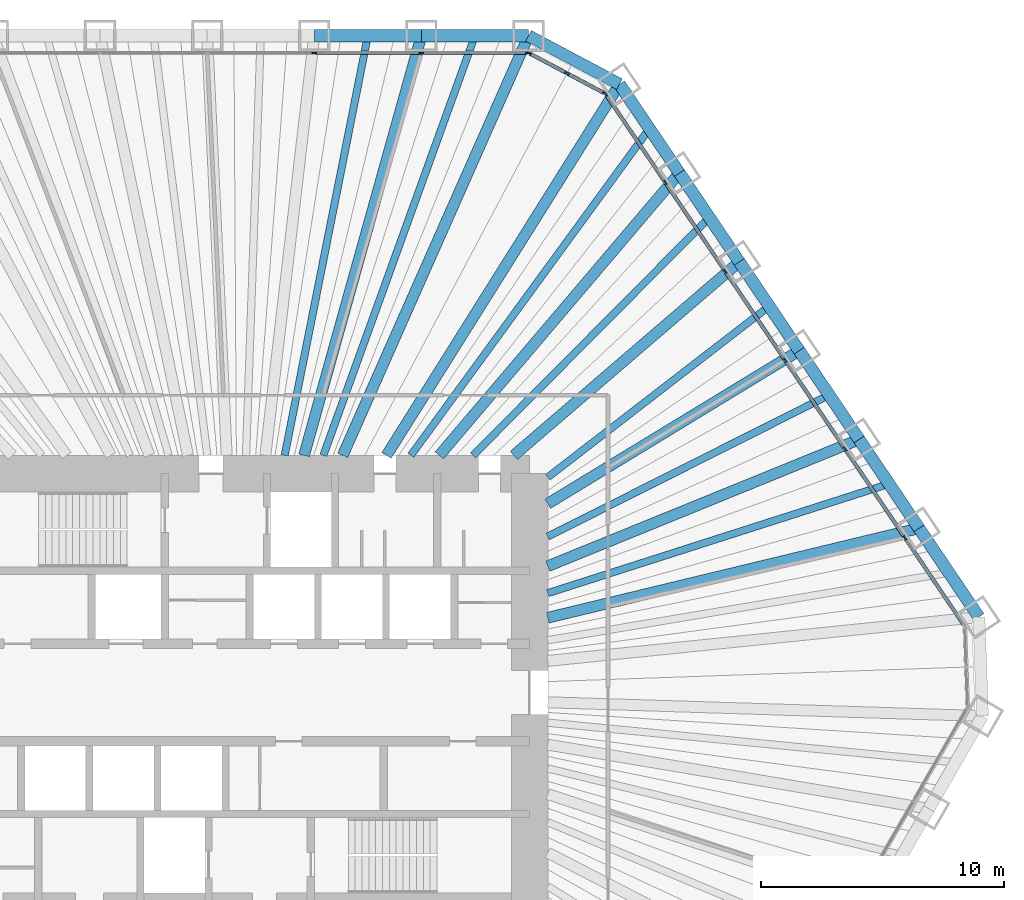
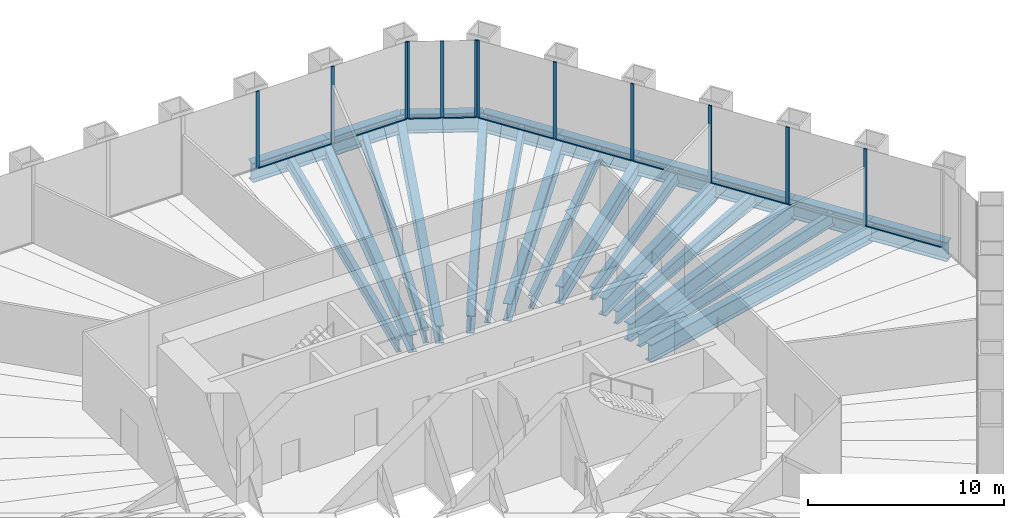
# One storey, part 7 of 13: 24 beams, 22 members, 3 elements without a shape of their own.
"""IFC4 building model written with IfcOpenShell, lengths in metres."""

from ifc_helpers import new_model, si_unit, direction, frame, origin, origin_2d, place, context, subcontext, project, spatial, rectangle, i_section, extrude, material, material_profile, profile_set, type_object, element, aggregate, save


model = new_model("IFC4")

# Units and contexts
model_context = context("Model", 3, precision=1e-05, world=origin(), true_north=direction((0.0, 1.0)))
body_context = subcontext(model_context, "Body", "Model", "MODEL_VIEW")
ifc_project = project(units=[si_unit("LENGTHUNIT", "METRE"), si_unit("AREAUNIT", "SQUARE_METRE"), si_unit("VOLUMEUNIT", "CUBIC_METRE"), si_unit("PLANEANGLEUNIT", "RADIAN"), si_unit("MASSUNIT", "GRAM", prefix="KILO")], contexts=[model_context])

# Site, building, storey
site_placement = place(None, origin())
site = spatial("IfcSite", under=ifc_project, at=site_placement, CompositionType="ELEMENT")
building_placement = place(site_placement, origin())
building = spatial("IfcBuilding", under=site, at=building_placement, Name="Qingtian Harvest Tower", CompositionType="ELEMENT")
storey_placement = place(building_placement, frame((0.0, 0.0, 27.0)))
storey = spatial("IfcBuildingStorey", under=building, at=storey_placement, Name="L05", CompositionType="ELEMENT", Elevation=27.0)

# Beams
ifc_material_1 = material(Name="Steel SM570MC", Category="steel")
ifc_material_profile_1 = material_profile(ifc_material_1, i_section(OverallWidth=0.449951171875, OverallDepth=1.10009765625, WebThickness=0.02197265625, FlangeThickness=0.044921875, at=origin_2d()), Name="H1100x450x22x45")
ifc_profile_set_1 = profile_set([ifc_material_profile_1], Name="Steel SM570MC")
beam_type_1 = type_object("IfcBeamType", Name="Corner floor beam FB8 H1100x450x22x45", PredefinedType="BEAM", material=ifc_profile_set_1)
beam_1_placement = place(storey_placement, frame((11.9560546875, 27.0, -0.75), z_axis=(-0.404898955654, -0.914361436036, 0.0), x_axis=(0.914361436036, -0.404898955654, 0.0)))
element("IfcBeam", 1, at=beam_1_placement, inside=storey, type_object=beam_type_1, Name="Floor beam FB8 N6", PredefinedType="BEAM", context=body_context, shape_type="SweptSolid", body=[
    extrude(i_section(OverallWidth=0.449951171875, OverallDepth=1.10009765625, WebThickness=0.02197265625, FlangeThickness=0.044921875, at=origin_2d()), origin(), (0.0, 0.0, 1.0), 18.86572265625),
])
beam_2_placement = place(storey_placement, frame((15.6982421875, 25.01025390625, -0.75), z_axis=(-0.531622796942, -0.846981228701, 0.0), x_axis=(0.846981228701, -0.531622796942, 0.0)))
element("IfcBeam", 2, at=beam_2_placement, inside=storey, type_object=beam_type_1, Name="Floor beam FB8 NE0", PredefinedType="BEAM", context=body_context, shape_type="SweptSolid", body=[
    extrude(i_section(OverallWidth=0.449951171875, OverallDepth=1.10009765625, WebThickness=0.02197265625, FlangeThickness=0.044921875, at=origin_2d()), origin(), (0.0, 0.0, 1.0), 18.017333984375),
])
ifc_material_2 = material(Name="Steel SM570MC", Category="steel")
ifc_material_profile_2 = material_profile(ifc_material_2, i_section(OverallWidth=0.449951171875, OverallDepth=1.10009765625, WebThickness=0.02197265625, FlangeThickness=0.044921875, at=origin_2d()), Name="H1100x450x22x45")
ifc_profile_set_2 = profile_set([ifc_material_profile_2], Name="Steel SM570MC")
beam_type_2 = type_object("IfcBeamType", Name="Floor beam FB1 H1100x450x22x45", PredefinedType="BEAM", material=ifc_profile_set_2)
beam_3_placement = place(storey_placement, frame((7.551513671875, 27.0, -0.75), z_axis=(-0.269343258019, -0.963044240604, 0.0), x_axis=(0.963044240604, -0.269343258019, 0.0)))
element("IfcBeam", 3, at=beam_3_placement, inside=storey, type_object=beam_type_2, Name="Floor beam FB1 N5", PredefinedType="BEAM", context=body_context, shape_type="SweptSolid", body=[
    extrude(i_section(OverallWidth=0.449951171875, OverallDepth=1.10009765625, WebThickness=0.02197265625, FlangeThickness=0.044921875, at=origin_2d()), origin(), (0.0, 0.0, 1.0), 17.911865234375),
])
beam_4_placement = place(storey_placement, frame((18.1611328125, 21.358642578125, -0.75), z_axis=(-0.647781887327, -0.761825850474, 0.0), x_axis=(0.761825850474, -0.647781887327, 0.0)))
element("IfcBeam", 4, at=beam_4_placement, inside=storey, type_object=beam_type_2, Name="Floor beam FB1 NE1", PredefinedType="BEAM", context=body_context, shape_type="SweptSolid", body=[
    extrude(i_section(OverallWidth=0.449951171875, OverallDepth=1.10009765625, WebThickness=0.02197265625, FlangeThickness=0.044921875, at=origin_2d()), origin(), (0.0, 0.0, 1.0), 15.238037109375),
])
beam_5_placement = place(storey_placement, frame((20.624267578125, 17.70703125, -0.75), z_axis=(-0.75873153072, -0.651403457384, 0.0), x_axis=(0.651403457384, -0.75873153072, 0.0)))
element("IfcBeam", 5, at=beam_5_placement, inside=storey, type_object=beam_type_2, Name="Floor beam FB1 NE2", PredefinedType="BEAM", context=body_context, shape_type="SweptSolid", body=[
    extrude(i_section(OverallWidth=0.449951171875, OverallDepth=1.10009765625, WebThickness=0.02197265625, FlangeThickness=0.044921875, at=origin_2d()), origin(), (0.0, 0.0, 1.0), 12.21533203125),
])
beam_6_placement = place(storey_placement, frame((23.08740234375, 14.0556640625, -0.75), z_axis=(-0.854157261259, -0.520014781558, 0.0), x_axis=(0.520014781558, -0.854157261259, 0.0)))
element("IfcBeam", 6, at=beam_6_placement, inside=storey, type_object=beam_type_2, Name="Floor beam FB1 NE3", PredefinedType="BEAM", context=body_context, shape_type="SweptSolid", body=[
    extrude(i_section(OverallWidth=0.449951171875, OverallDepth=1.10009765625, WebThickness=0.02197265625, FlangeThickness=0.044921875, at=origin_2d()), origin(), (0.0, 0.0, 1.0), 12.1025390625),
])
beam_7_placement = place(storey_placement, frame((25.55029296875, 10.404052734375, -0.75), z_axis=(-0.926156354735, -0.37713977062, 0.0), x_axis=(0.37713977062, -0.926156354735, 0.0)))
element("IfcBeam", 7, at=beam_7_placement, inside=storey, type_object=beam_type_2, Name="Floor beam FB1 NE4", PredefinedType="BEAM", context=body_context, shape_type="SweptSolid", body=[
    extrude(i_section(OverallWidth=0.449951171875, OverallDepth=1.10009765625, WebThickness=0.02197265625, FlangeThickness=0.044921875, at=origin_2d()), origin(), (0.0, 0.0, 1.0), 13.82080078125),
])
beam_8_placement = place(storey_placement, frame((28.013427734375, 6.75244140625, -0.75), z_axis=(-0.972155908389, -0.234334994792, 0.0), x_axis=(0.234334994792, -0.972155908389, 0.0)))
element("IfcBeam", 8, at=beam_8_placement, inside=storey, type_object=beam_type_2, Name="Floor beam FB1 NE5", PredefinedType="BEAM", context=body_context, shape_type="SweptSolid", body=[
    extrude(i_section(OverallWidth=0.449951171875, OverallDepth=1.10009765625, WebThickness=0.02197265625, FlangeThickness=0.044921875, at=origin_2d()), origin(), (0.0, 0.0, 1.0), 15.70068359375),
])
ifc_material_3 = material(Name="Steel SN490B", Category="steel")
ifc_material_profile_3 = material_profile(ifc_material_3, i_section(OverallWidth=0.300048828125, OverallDepth=0.800048828125, WebThickness=0.013916015625, FlangeThickness=0.02587890625, at=origin_2d()), Name="H800x300x14x26")
ifc_profile_set_3 = profile_set([ifc_material_profile_3], Name="Steel SN490B")
beam_type_3 = type_object("IfcBeamType", Name="Floor joist J1 H800x300x14x26", PredefinedType="JOIST", material=ifc_profile_set_3)
beam_9_placement = place(storey_placement, frame((5.349365234375, 27.0, -0.60009765625), z_axis=(-0.19435104803, -0.980932041545, 0.0), x_axis=(0.980932041545, -0.19435104803, 0.0)))
element("IfcBeam", 9, at=beam_9_placement, inside=storey, type_object=beam_type_3, Name="Floor joist J1 N4", PredefinedType="JOIST", context=body_context, shape_type="SweptSolid", body=[
    extrude(i_section(OverallWidth=0.300048828125, OverallDepth=0.800048828125, WebThickness=0.013916015625, FlangeThickness=0.02587890625, at=origin_2d()), origin(), (0.0, 0.0, 1.0), 17.585205078125),
])
beam_10_placement = place(storey_placement, frame((9.75390625, 27.0, -0.60009765625), z_axis=(-0.339766141765, -0.940509951521, 0.0), x_axis=(0.940509951521, -0.339766141765, 0.0)))
element("IfcBeam", 10, at=beam_10_placement, inside=storey, type_object=beam_type_3, Name="Floor joist J1 N5", PredefinedType="JOIST", context=body_context, shape_type="SweptSolid", body=[
    extrude(i_section(OverallWidth=0.300048828125, OverallDepth=0.800048828125, WebThickness=0.013916015625, FlangeThickness=0.02587890625, at=origin_2d()), origin(), (0.0, 0.0, 1.0), 18.341064453125),
])
beam_11_placement = place(storey_placement, frame((16.9296875, 23.1845703125, -0.60009765625), z_axis=(-0.589722175422, -0.80760618857, 0.0), x_axis=(0.80760618857, -0.589722175422, 0.0)))
element("IfcBeam", 11, at=beam_11_placement, inside=storey, type_object=beam_type_3, Name="Floor joist J1 NE0", PredefinedType="JOIST", context=body_context, shape_type="SweptSolid", body=[
    extrude(i_section(OverallWidth=0.300048828125, OverallDepth=0.800048828125, WebThickness=0.013916015625, FlangeThickness=0.02587890625, at=origin_2d()), origin(), (0.0, 0.0, 1.0), 16.635009765625),
])
beam_12_placement = place(storey_placement, frame((19.392822265625, 19.532958984375, -0.60009765625), z_axis=(-0.704560879039, -0.709643549768, 0.0), x_axis=(0.709643549768, -0.704560879039, 0.0)))
element("IfcBeam", 12, at=beam_12_placement, inside=storey, type_object=beam_type_3, Name="Floor joist J1 NE1", PredefinedType="JOIST", context=body_context, shape_type="SweptSolid", body=[
    extrude(i_section(OverallWidth=0.300048828125, OverallDepth=0.800048828125, WebThickness=0.013916015625, FlangeThickness=0.02587890625, at=origin_2d()), origin(), (0.0, 0.0, 1.0), 13.78564453125),
])
beam_13_placement = place(storey_placement, frame((21.855712890625, 15.88134765625, -0.60009765625), z_axis=(-0.79149450594, -0.611176281499, 0.0), x_axis=(0.611176281499, -0.79149450594, 0.0)))
element("IfcBeam", 13, at=beam_13_placement, inside=storey, type_object=beam_type_3, Name="Floor joist J1 NE2", PredefinedType="JOIST", context=body_context, shape_type="SweptSolid", body=[
    extrude(i_section(OverallWidth=0.300048828125, OverallDepth=0.800048828125, WebThickness=0.013916015625, FlangeThickness=0.02587890625, at=origin_2d()), origin(), (0.0, 0.0, 1.0), 11.50439453125),
])
beam_14_placement = place(storey_placement, frame((24.31884765625, 12.229736328125, -0.60009765625), z_axis=(-0.893391632689, -0.449278744924, 0.0), x_axis=(0.449278744924, -0.893391632689, 0.0)))
element("IfcBeam", 14, at=beam_14_placement, inside=storey, type_object=beam_type_3, Name="Floor joist J1 NE3", PredefinedType="JOIST", context=body_context, shape_type="SweptSolid", body=[
    extrude(i_section(OverallWidth=0.300048828125, OverallDepth=0.800048828125, WebThickness=0.013916015625, FlangeThickness=0.02587890625, at=origin_2d()), origin(), (0.0, 0.0, 1.0), 12.949462890625),
])
beam_15_placement = place(storey_placement, frame((26.78173828125, 8.578125, -0.60009765625), z_axis=(-0.952340804978, -0.305036048976, 0.0), x_axis=(0.305036048976, -0.952340804978, 0.0)))
element("IfcBeam", 15, at=beam_15_placement, inside=storey, type_object=beam_type_3, Name="Floor joist J1 NE4", PredefinedType="JOIST", context=body_context, shape_type="SweptSolid", body=[
    extrude(i_section(OverallWidth=0.300048828125, OverallDepth=0.800048828125, WebThickness=0.013916015625, FlangeThickness=0.02587890625, at=origin_2d()), origin(), (0.0, 0.0, 1.0), 14.73388671875),
])

# Curtain wall, members
ifc_material_4 = material(Name="Bronze-anodised aluminium curtain wall", Category="aluminium")
curtain_wall_type = type_object("IfcCurtainWallType", Name="Curtain wall CW2 farm reception", PredefinedType="USERDEFINED", material=ifc_material_4)
curtain_wall_1_placement = place(storey_placement, origin())
curtain_wall_1 = element("IfcCurtainWall", 16, at=curtain_wall_1_placement, inside=storey, type_object=curtain_wall_type, Name="Curtain wall CW2 L05 N0-5", ObjectType="RECESSED CURTAIN WALL", PredefinedType="USERDEFINED")
ifc_material_5 = material(Name="Bronze-anodised aluminium mullion", Category="aluminium")
ifc_material_profile_4 = material_profile(ifc_material_5, rectangle(XDim=0.06494140625, YDim=0.199951171875, at=origin_2d()), Name="AL 65x200")
ifc_profile_set_4 = profile_set([ifc_material_profile_4], Name="Bronze-anodised aluminium mullion")
member_type_1 = type_object("IfcMemberType", Name="Mullion CWM 65x200", PredefinedType="MULLION", material=ifc_profile_set_4)
member_1_placement = place(storey_placement, frame((3.14697265625, 26.300048828125, 0.0), z_axis=(0.0, 0.0, 1.0), x_axis=(0.0, 1.0, 0.0)))
member_1 = element("IfcMember", 17, at=member_1_placement, type_object=member_type_1, Name="CW2 mullion 5", PredefinedType="MULLION", context=body_context, shape_type="SweptSolid", body=[
    extrude(rectangle(XDim=0.06494140625, YDim=0.199951171875, at=origin_2d()), origin(), (0.0, 0.0, 1.0), 4.800048828125),
])
member_2_placement = place(storey_placement, frame((7.551513671875, 26.300048828125, 0.0), z_axis=(0.0, 0.0, 1.0), x_axis=(0.0, 1.0, 0.0)))
member_2 = element("IfcMember", 18, at=member_2_placement, type_object=member_type_1, Name="CW2 mullion 6", PredefinedType="MULLION", context=body_context, shape_type="SweptSolid", body=[
    extrude(rectangle(XDim=0.06494140625, YDim=0.199951171875, at=origin_2d()), origin(), (0.0, 0.0, 1.0), 4.800048828125),
])
member_3_placement = place(storey_placement, frame((11.923583984375, 26.300048828125, 0.0), z_axis=(0.0, 0.0, 1.0), x_axis=(0.0, 1.0, 0.0)))
member_3 = element("IfcMember", 19, at=member_3_placement, type_object=member_type_1, Name="CW2 mullion 7", PredefinedType="MULLION", context=body_context, shape_type="SweptSolid", body=[
    extrude(rectangle(XDim=0.06494140625, YDim=0.199951171875, at=origin_2d()), origin(), (0.0, 0.0, 1.0), 4.800048828125),
])

curtain_wall_2_placement = place(storey_placement, origin())
curtain_wall_2 = element("IfcCurtainWall", 20, at=curtain_wall_2_placement, inside=storey, type_object=curtain_wall_type, Name="Curtain wall CW2 L05 NC", ObjectType="RECESSED CURTAIN WALL", PredefinedType="USERDEFINED")
member_4_placement = place(storey_placement, frame((11.98486328125, 26.28466796875, 0.0), z_axis=(0.0, 0.0, 1.0), x_axis=(0.469471562786, 0.882947592859, 0.0)))
member_4 = element("IfcMember", 21, at=member_4_placement, type_object=member_type_1, Name="CW2 mullion 1", PredefinedType="MULLION", context=body_context, shape_type="SweptSolid", body=[
    extrude(rectangle(XDim=0.06494140625, YDim=0.199951171875, at=origin_2d()), origin(), (0.0, 0.0, 1.0), 4.800048828125),
])
member_5_placement = place(storey_placement, frame((13.537109375, 25.45947265625, 0.0), z_axis=(0.0, 0.0, 1.0), x_axis=(0.469471562786, 0.882947592859, 0.0)))
member_5 = element("IfcMember", 22, at=member_5_placement, type_object=member_type_1, Name="CW2 mullion 2", PredefinedType="MULLION", context=body_context, shape_type="SweptSolid", body=[
    extrude(rectangle(XDim=0.06494140625, YDim=0.199951171875, at=origin_2d()), origin(), (0.0, 0.0, 1.0), 4.800048828125),
])
member_6_placement = place(storey_placement, frame((15.089111328125, 24.634033203125, 0.0), z_axis=(0.0, 0.0, 1.0), x_axis=(0.469471562786, 0.882947592859, 0.0)))
member_6 = element("IfcMember", 23, at=member_6_placement, type_object=member_type_1, Name="CW2 mullion 3", PredefinedType="MULLION", context=body_context, shape_type="SweptSolid", body=[
    extrude(rectangle(XDim=0.06494140625, YDim=0.199951171875, at=origin_2d()), origin(), (0.0, 0.0, 1.0), 4.800048828125),
])

curtain_wall_3_placement = place(storey_placement, origin())
curtain_wall_3 = element("IfcCurtainWall", 24, at=curtain_wall_3_placement, inside=storey, type_object=curtain_wall_type, Name="Curtain wall CW2 L05 NE0-5", ObjectType="RECESSED CURTAIN WALL", PredefinedType="USERDEFINED")
member_7_placement = place(storey_placement, frame((15.135986328125, 24.592041015625, 0.0), z_axis=(0.0, 0.0, 1.0), x_axis=(0.829037572555, 0.559192903471, 0.0)))
member_7 = element("IfcMember", 25, at=member_7_placement, type_object=member_type_1, Name="CW2 mullion 1", PredefinedType="MULLION", context=body_context, shape_type="SweptSolid", body=[
    extrude(rectangle(XDim=0.06494140625, YDim=0.199951171875, at=origin_2d()), origin(), (0.0, 0.0, 1.0), 4.800048828125),
])
member_8_placement = place(storey_placement, frame((17.580810546875, 20.96728515625, 0.0), z_axis=(0.0, 0.0, 1.0), x_axis=(0.829037572555, 0.559192903471, 0.0)))
member_8 = element("IfcMember", 26, at=member_8_placement, type_object=member_type_1, Name="CW2 mullion 2", PredefinedType="MULLION", context=body_context, shape_type="SweptSolid", body=[
    extrude(rectangle(XDim=0.06494140625, YDim=0.199951171875, at=origin_2d()), origin(), (0.0, 0.0, 1.0), 4.800048828125),
])
member_9_placement = place(storey_placement, frame((20.0439453125, 17.315673828125, 0.0), z_axis=(0.0, 0.0, 1.0), x_axis=(0.829037572555, 0.559192903471, 0.0)))
member_9 = element("IfcMember", 27, at=member_9_placement, type_object=member_type_1, Name="CW2 mullion 3", PredefinedType="MULLION", context=body_context, shape_type="SweptSolid", body=[
    extrude(rectangle(XDim=0.06494140625, YDim=0.199951171875, at=origin_2d()), origin(), (0.0, 0.0, 1.0), 4.800048828125),
])
member_10_placement = place(storey_placement, frame((22.507080078125, 13.6640625, 0.0), z_axis=(0.0, 0.0, 1.0), x_axis=(0.829037572555, 0.559192903471, 0.0)))
member_10 = element("IfcMember", 28, at=member_10_placement, type_object=member_type_1, Name="CW2 mullion 4", PredefinedType="MULLION", context=body_context, shape_type="SweptSolid", body=[
    extrude(rectangle(XDim=0.06494140625, YDim=0.199951171875, at=origin_2d()), origin(), (0.0, 0.0, 1.0), 4.800048828125),
])
member_11_placement = place(storey_placement, frame((24.969970703125, 10.012451171875, 0.0), z_axis=(0.0, 0.0, 1.0), x_axis=(0.829037572555, 0.559192903471, 0.0)))
member_11 = element("IfcMember", 29, at=member_11_placement, type_object=member_type_1, Name="CW2 mullion 5", PredefinedType="MULLION", context=body_context, shape_type="SweptSolid", body=[
    extrude(rectangle(XDim=0.06494140625, YDim=0.199951171875, at=origin_2d()), origin(), (0.0, 0.0, 1.0), 4.800048828125),
])
member_12_placement = place(storey_placement, frame((27.43310546875, 6.36083984375, 0.0), z_axis=(0.0, 0.0, 1.0), x_axis=(0.829037572555, 0.559192903471, 0.0)))
member_12 = element("IfcMember", 30, at=member_12_placement, type_object=member_type_1, Name="CW2 mullion 6", PredefinedType="MULLION", context=body_context, shape_type="SweptSolid", body=[
    extrude(rectangle(XDim=0.06494140625, YDim=0.199951171875, at=origin_2d()), origin(), (0.0, 0.0, 1.0), 4.800048828125),
])

# Beams
ifc_material_6 = material(Name="Steel SM570MC", Category="steel")
ifc_material_profile_5 = material_profile(ifc_material_6, i_section(OverallWidth=0.5, OverallDepth=1.199951171875, WebThickness=0.02490234375, FlangeThickness=0.050048828125, at=origin_2d()), Name="H1200x500x25x50")
ifc_profile_set_5 = profile_set([ifc_material_profile_5], Name="Steel SM570MC")
beam_type_4 = type_object("IfcBeamType", Name="Spandrel beam SB1 H1200x500x25x50", PredefinedType="SPANDREL", material=ifc_profile_set_5)
for number, where, z_axis, x_axis, name in (
    (31, (3.14697265625, 27.0, -0.60009765625), (1.0, 0.0, 0.0), (0.0, 1.0, 0.0), "Spandrel SB1 N4"),
    (32, (7.551513671875, 27.0, -0.60009765625), (1.0, 0.0, 0.0), (0.0, 1.0, 0.0), "Spandrel SB1 N5"),
):
    element("IfcBeam", number, at=place(storey_placement, frame(where, z_axis=z_axis, x_axis=x_axis)), inside=storey, type_object=beam_type_4, Name=name, PredefinedType="SPANDREL", context=body_context, shape_type="SweptSolid", body=[
        extrude(i_section(OverallWidth=0.5, OverallDepth=1.199951171875, WebThickness=0.02490234375, FlangeThickness=0.050048828125, at=origin_2d()), origin(), (0.0, 0.0, 1.0), 4.404541015625),
    ])
beam_16_placement = place(storey_placement, frame((11.9560546875, 27.0, -0.60009765625), z_axis=(0.882948599748, -0.469469669099, 0.0), x_axis=(0.469469669099, 0.882948599748, 0.0)))
element("IfcBeam", 33, at=beam_16_placement, inside=storey, type_object=beam_type_4, Name="Spandrel SB1 NC", PredefinedType="SPANDREL", context=body_context, shape_type="SweptSolid", body=[
    extrude(i_section(OverallWidth=0.5, OverallDepth=1.199951171875, WebThickness=0.02490234375, FlangeThickness=0.050048828125, at=origin_2d()), origin(), (0.0, 0.0, 1.0), 4.23828125),
])
beam_17_placement = place(storey_placement, frame((15.6982421875, 25.01025390625, -0.60009765625), z_axis=(0.559169135272, -0.829053603912, 0.0), x_axis=(0.829053603912, 0.559169135272, 0.0)))
element("IfcBeam", 34, at=beam_17_placement, inside=storey, type_object=beam_type_4, Name="Spandrel SB1 NE0", PredefinedType="SPANDREL", context=body_context, shape_type="SweptSolid", body=[
    extrude(i_section(OverallWidth=0.5, OverallDepth=1.199951171875, WebThickness=0.02490234375, FlangeThickness=0.050048828125, at=origin_2d()), origin(), (0.0, 0.0, 1.0), 4.404541015625),
])
beam_18_placement = place(storey_placement, frame((18.1611328125, 21.358642578125, -0.60009765625), z_axis=(0.559207231603, -0.829027907928, 0.0), x_axis=(0.829027907928, 0.559207231603, 0.0)))
element("IfcBeam", 35, at=beam_18_placement, inside=storey, type_object=beam_type_4, Name="Spandrel SB1 NE1", PredefinedType="SPANDREL", context=body_context, shape_type="SweptSolid", body=[
    extrude(i_section(OverallWidth=0.5, OverallDepth=1.199951171875, WebThickness=0.02490234375, FlangeThickness=0.050048828125, at=origin_2d()), origin(), (0.0, 0.0, 1.0), 4.40478515625),
])
for number, where, z_axis, x_axis, name in (
    (36, (20.624267578125, 17.70703125, -0.60009765625), (0.559232928578, -0.829010573874, 0.0), (0.829010573874, 0.559232928578, 0.0), "Spandrel SB1 NE2"),
    (37, (23.08740234375, 14.0556640625, -0.60009765625), (0.559169135272, -0.829053603912, 0.0), (0.829053603912, 0.559169135272, 0.0), "Spandrel SB1 NE3"),
):
    element("IfcBeam", number, at=place(storey_placement, frame(where, z_axis=z_axis, x_axis=x_axis)), inside=storey, type_object=beam_type_4, Name=name, PredefinedType="SPANDREL", context=body_context, shape_type="SweptSolid", body=[
        extrude(i_section(OverallWidth=0.5, OverallDepth=1.199951171875, WebThickness=0.02490234375, FlangeThickness=0.050048828125, at=origin_2d()), origin(), (0.0, 0.0, 1.0), 4.404541015625),
    ])
beam_19_placement = place(storey_placement, frame((25.55029296875, 10.404052734375, -0.60009765625), z_axis=(0.559207231603, -0.829027907928, 0.0), x_axis=(0.829027907928, 0.559207231603, 0.0)))
element("IfcBeam", 38, at=beam_19_placement, inside=storey, type_object=beam_type_4, Name="Spandrel SB1 NE4", PredefinedType="SPANDREL", context=body_context, shape_type="SweptSolid", body=[
    extrude(i_section(OverallWidth=0.5, OverallDepth=1.199951171875, WebThickness=0.02490234375, FlangeThickness=0.050048828125, at=origin_2d()), origin(), (0.0, 0.0, 1.0), 4.40478515625),
])
beam_20_placement = place(storey_placement, frame((28.013427734375, 6.75244140625, -0.60009765625), z_axis=(0.559169135272, -0.829053603912, 0.0), x_axis=(0.829053603912, 0.559169135272, 0.0)))
element("IfcBeam", 39, at=beam_20_placement, inside=storey, type_object=beam_type_4, Name="Spandrel SB1 NE5", PredefinedType="SPANDREL", context=body_context, shape_type="SweptSolid", body=[
    extrude(i_section(OverallWidth=0.5, OverallDepth=1.199951171875, WebThickness=0.02490234375, FlangeThickness=0.050048828125, at=origin_2d()), origin(), (0.0, 0.0, 1.0), 4.404541015625),
])

# Member
ifc_material_7 = material(Name="Bronze-anodised aluminium transom", Category="aluminium")
ifc_material_profile_6 = material_profile(ifc_material_7, rectangle(XDim=0.14990234375, YDim=0.06494140625, at=origin_2d()), Name="AL 65x150")
ifc_profile_set_6 = profile_set([ifc_material_profile_6], Name="Bronze-anodised aluminium transom")
member_type_2 = type_object("IfcMemberType", Name="Transom CWT 65x150", PredefinedType="USERDEFINED", material=ifc_profile_set_6)
member_13_placement = place(storey_placement, frame((3.179443359375, 26.300048828125, 0.032470703125), z_axis=(1.0, 0.0, 0.0), x_axis=(0.0, 1.0, 0.0)))
member_13 = element("IfcMember", 40, at=member_13_placement, type_object=member_type_2, Name="CW2 transom 5.1", ObjectType="TRANSOM", PredefinedType="USERDEFINED", context=body_context, shape_type="SweptSolid", body=[
    extrude(rectangle(XDim=0.14990234375, YDim=0.06494140625, at=origin_2d()), origin(), (0.0, 0.0, 1.0), 4.339599609375),
])

member_14_placement = place(storey_placement, frame((7.583984375, 26.300048828125, 0.032470703125), z_axis=(1.0, 0.0, 0.0), x_axis=(0.0, 1.0, 0.0)))
member_14 = element("IfcMember", 41, at=member_14_placement, type_object=member_type_2, Name="CW2 transom 6.1", ObjectType="TRANSOM", PredefinedType="USERDEFINED", context=body_context, shape_type="SweptSolid", body=[
    extrude(rectangle(XDim=0.14990234375, YDim=0.06494140625, at=origin_2d()), origin(), (0.0, 0.0, 1.0), 4.30712890625),
])

aggregate(curtain_wall_1, [member_1, member_2, member_3, member_13, member_14])

member_15_placement = place(storey_placement, frame((12.013427734375, 26.26953125, 0.032470703125), z_axis=(0.882927080927, -0.469510138086, 0.0), x_axis=(0.469510138086, 0.882927080927, 0.0)))
member_15 = element("IfcMember", 42, at=member_15_placement, type_object=member_type_2, Name="CW2 transom 1.1", ObjectType="TRANSOM", PredefinedType="USERDEFINED", context=body_context, shape_type="SweptSolid", body=[
    extrude(rectangle(XDim=0.14990234375, YDim=0.06494140625, at=origin_2d()), origin(), (0.0, 0.0, 1.0), 1.693115234375),
])

member_16_placement = place(storey_placement, frame((13.565673828125, 25.444091796875, 0.032470703125), z_axis=(0.882986854304, -0.469397715297, 0.0), x_axis=(0.469397715297, 0.882986854304, 0.0)))
member_16 = element("IfcMember", 43, at=member_16_placement, type_object=member_type_2, Name="CW2 transom 2.1", ObjectType="TRANSOM", PredefinedType="USERDEFINED", context=body_context, shape_type="SweptSolid", body=[
    extrude(rectangle(XDim=0.14990234375, YDim=0.06494140625, at=origin_2d()), origin(), (0.0, 0.0, 1.0), 1.69287109375),
])

aggregate(curtain_wall_2, [member_4, member_5, member_6, member_15, member_16])

member_17_placement = place(storey_placement, frame((15.154296875, 24.56494140625, 0.032470703125), z_axis=(0.559178817275, -0.82904707364, 0.0), x_axis=(0.82904707364, 0.559178817275, 0.0)))
member_17 = element("IfcMember", 44, at=member_17_placement, type_object=member_type_2, Name="CW2 transom 1.1", ObjectType="TRANSOM", PredefinedType="USERDEFINED", context=body_context, shape_type="SweptSolid", body=[
    extrude(rectangle(XDim=0.14990234375, YDim=0.06494140625, at=origin_2d()), origin(), (0.0, 0.0, 1.0), 4.30712890625),
])

member_18_placement = place(storey_placement, frame((17.59912109375, 20.9404296875, 0.032470703125), z_axis=(0.559210013199, -0.82902603164, 0.0), x_axis=(0.82902603164, 0.559210013199, 0.0)))
member_18 = element("IfcMember", 45, at=member_18_placement, type_object=member_type_2, Name="CW2 transom 2.1", ObjectType="TRANSOM", PredefinedType="USERDEFINED", context=body_context, shape_type="SweptSolid", body=[
    extrude(rectangle(XDim=0.14990234375, YDim=0.06494140625, at=origin_2d()), origin(), (0.0, 0.0, 1.0), 4.339599609375),
])

member_19_placement = place(storey_placement, frame((20.06201171875, 17.288818359375, 0.032470703125), z_axis=(0.559210013199, -0.82902603164, 0.0), x_axis=(0.82902603164, 0.559210013199, 0.0)))
member_19 = element("IfcMember", 46, at=member_19_placement, type_object=member_type_2, Name="CW2 transom 3.1", ObjectType="TRANSOM", PredefinedType="USERDEFINED", context=body_context, shape_type="SweptSolid", body=[
    extrude(rectangle(XDim=0.14990234375, YDim=0.06494140625, at=origin_2d()), origin(), (0.0, 0.0, 1.0), 4.339599609375),
])

member_20_placement = place(storey_placement, frame((22.525146484375, 13.63720703125, 0.032470703125), z_axis=(0.559210013199, -0.82902603164, 0.0), x_axis=(0.82902603164, 0.559210013199, 0.0)))
member_20 = element("IfcMember", 47, at=member_20_placement, type_object=member_type_2, Name="CW2 transom 4.1", ObjectType="TRANSOM", PredefinedType="USERDEFINED", context=body_context, shape_type="SweptSolid", body=[
    extrude(rectangle(XDim=0.14990234375, YDim=0.06494140625, at=origin_2d()), origin(), (0.0, 0.0, 1.0), 4.339599609375),
])

member_21_placement = place(storey_placement, frame((24.98828125, 9.985595703125, 0.032470703125), z_axis=(0.559171345763, -0.829052113005, 0.0), x_axis=(0.829052113005, 0.559171345763, 0.0)))
member_21 = element("IfcMember", 48, at=member_21_placement, type_object=member_type_2, Name="CW2 transom 5.1", ObjectType="TRANSOM", PredefinedType="USERDEFINED", context=body_context, shape_type="SweptSolid", body=[
    extrude(rectangle(XDim=0.14990234375, YDim=0.06494140625, at=origin_2d()), origin(), (0.0, 0.0, 1.0), 4.339599609375),
])

member_22_placement = place(storey_placement, frame((27.451171875, 6.333984375, 0.032470703125), z_axis=(0.559178817275, -0.82904707364, 0.0), x_axis=(0.82904707364, 0.559178817275, 0.0)))
member_22 = element("IfcMember", 49, at=member_22_placement, type_object=member_type_2, Name="CW2 transom 6.1", ObjectType="TRANSOM", PredefinedType="USERDEFINED", context=body_context, shape_type="SweptSolid", body=[
    extrude(rectangle(XDim=0.14990234375, YDim=0.06494140625, at=origin_2d()), origin(), (0.0, 0.0, 1.0), 4.30712890625),
])

aggregate(curtain_wall_3, [member_7, member_8, member_9, member_10, member_11, member_12, member_17, member_18, member_19, member_20, member_21, member_22])

save(model, "model.ifc")
